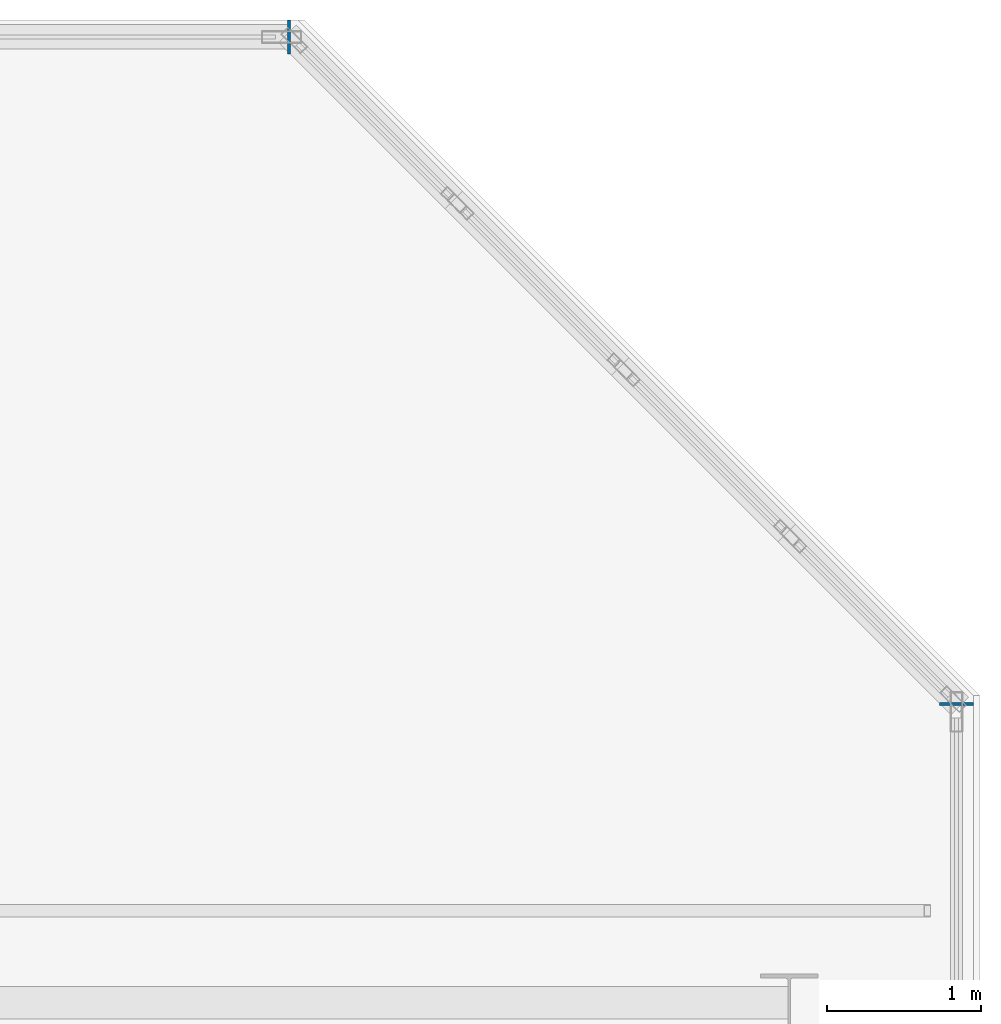
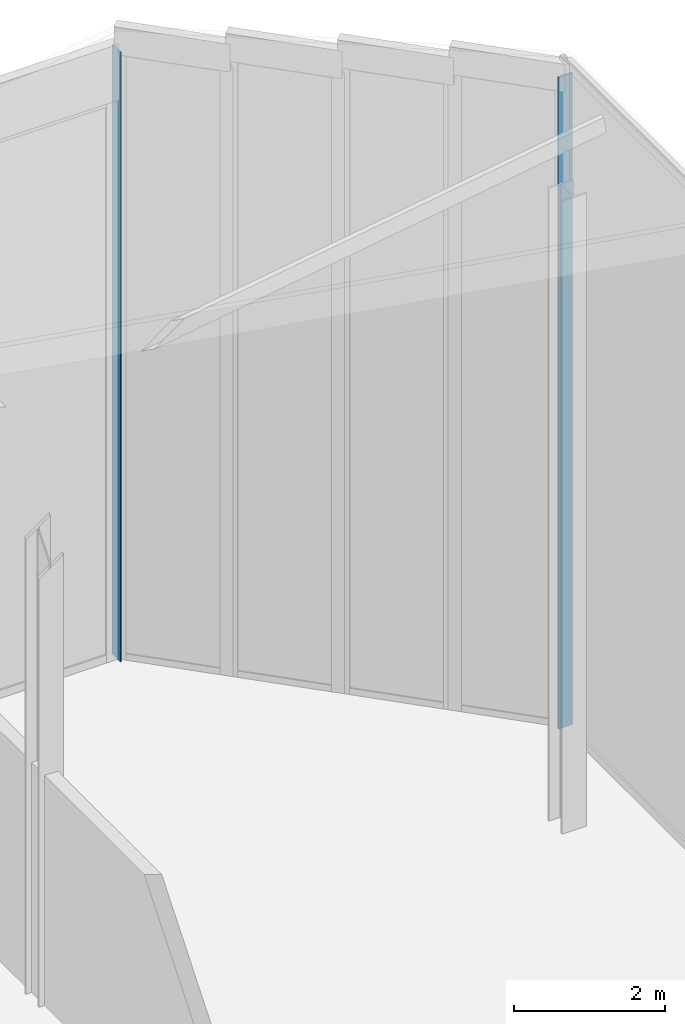
# One storey, part 29 of 30: 2 walls.
"""IFC4 building model written with IfcOpenShell, lengths in metres."""

from ifc_helpers import new_model, si_unit, direction, frame, frame_2d, origin, place, context, subcontext, project, spatial, rectangle, extrude, material, layer, layer_set, type_object, element, save


model = new_model("IFC4")

# Units and contexts
model_context = context("Model", 3, precision=1e-05, world=origin(), true_north=direction((0.0, 1.0)))
body_context = subcontext(model_context, "Body", "Model", "MODEL_VIEW")
ifc_project = project(units=[si_unit("LENGTHUNIT", "METRE"), si_unit("AREAUNIT", "SQUARE_METRE"), si_unit("VOLUMEUNIT", "CUBIC_METRE"), si_unit("PLANEANGLEUNIT", "RADIAN"), si_unit("MASSUNIT", "GRAM", prefix="KILO")], contexts=[model_context])

# Site, building, storey
site_placement = place(None, origin())
site = spatial("IfcSite", under=ifc_project, at=site_placement, CompositionType="ELEMENT")
building_placement = place(site_placement, origin())
building = spatial("IfcBuilding", under=site, at=building_placement, Name="Tanjung Sevakor Pilgrim Tower", CompositionType="ELEMENT")
storey_placement = place(building_placement, frame((0.0, 0.0, 287.760009765625)))
storey = spatial("IfcBuildingStorey", under=building, at=storey_placement, Name="L80", CompositionType="ELEMENT", Elevation=287.760009765625)

# Walls
ifc_material = material(Name="Precast concrete C45/55", Category="concrete")
ifc_layer = layer(ifc_material, 0.219970703125)
ifc_layer_set = layer_set([ifc_layer], Name="WT-EW-STN4")
wall_type = type_object("IfcWallType", Name="WT-EW-STN4", PredefinedType="SOLIDWALL", material=ifc_layer_set)
wall_1_placement = place(storey_placement, frame((99.090087890625, 50.534423828125, 0.0), z_axis=(0.0, 0.0, 1.0), x_axis=(0.0, 1.0, 0.0)))
element("IfcWall", 1, at=wall_1_placement, inside=storey, type_object=wall_type, Name="L80 EAST Crown Pier 2-1B", PredefinedType="SOLIDWALL", context=body_context, shape_type="SweptSolid", body=[
    extrude(rectangle(XDim=0.02001953125, YDim=0.219970703125, at=frame_2d((0.010009765625, 0.0))), origin(), (0.0, 0.0, 1.0), 10.542724609375),
])
wall_2_placement = place(storey_placement, frame((94.75439453125, 54.889892578125, 0.0), z_axis=(0.0, 0.0, 1.0), x_axis=(-1.0, 0.0, 0.0)))
element("IfcWall", 2, at=wall_2_placement, inside=storey, type_object=wall_type, Name="L80 EAST Crown Pier 4-1A", PredefinedType="SOLIDWALL", context=body_context, shape_type="SweptSolid", body=[
    extrude(rectangle(XDim=0.02001953125, YDim=0.219970703125, at=frame_2d((0.010009765625, 0.0))), origin(), (0.0, 0.0, 1.0), 9.8583984375),
])

save(model, "model.ifc")
